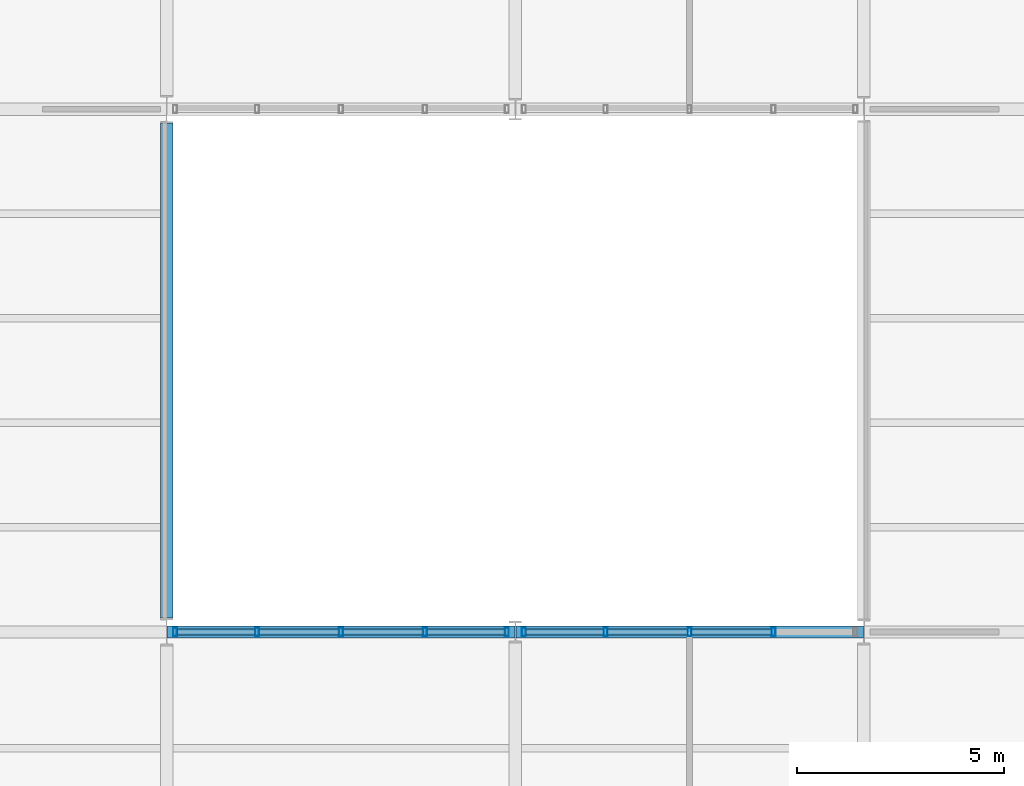
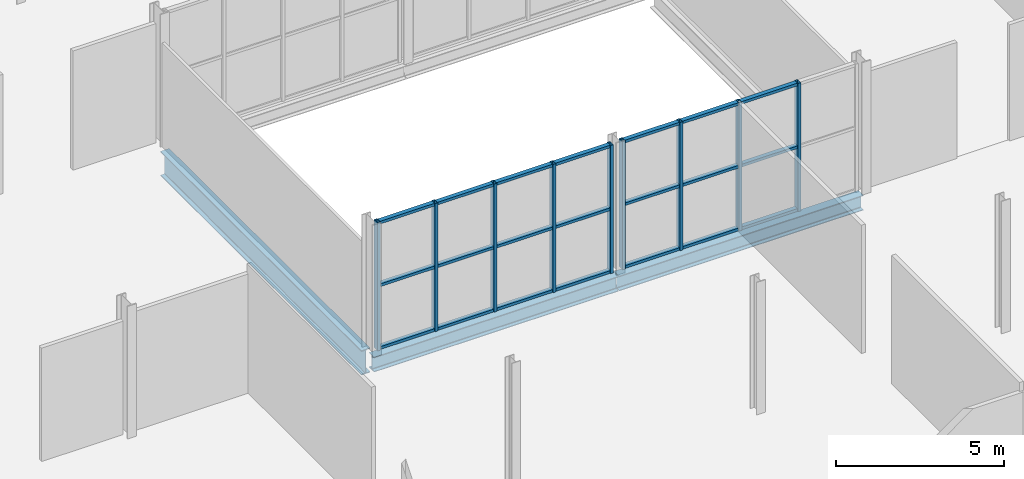
# One storey, part 10 of 52: 30 members, 3 beams, 2 elements without a shape of their own.
"""IFC4 building model written with IfcOpenShell, lengths in metres."""

from ifc_helpers import new_model, si_unit, direction, frame, origin, origin_2d, place, context, subcontext, project, spatial, hollow_rectangle, i_section, extrude, material, layer, layer_set, material_profile, profile_set, type_object, element, aggregate, save


model = new_model("IFC4")

# Units and contexts
model_context = context("Model", 3, precision=1e-05, world=origin(), true_north=direction((0.0, 1.0)))
body_context = subcontext(model_context, "Body", "Model", "MODEL_VIEW")
ifc_project = project(units=[si_unit("LENGTHUNIT", "METRE"), si_unit("AREAUNIT", "SQUARE_METRE"), si_unit("VOLUMEUNIT", "CUBIC_METRE"), si_unit("PLANEANGLEUNIT", "RADIAN"), si_unit("MASSUNIT", "GRAM", prefix="KILO")], contexts=[model_context])

# Site, building, storey
site_placement = place(None, origin())
site = spatial("IfcSite", under=ifc_project, at=site_placement, CompositionType="ELEMENT")
building_placement = place(site_placement, origin())
building = spatial("IfcBuilding", under=site, at=building_placement, Name="Galleria Vessillo Department Store", CompositionType="ELEMENT")
storey_placement = place(building_placement, frame((0.0, 0.0, 16.199951171875)))
storey = spatial("IfcBuildingStorey", under=building, at=storey_placement, Name="L03", CompositionType="ELEMENT", Elevation=16.199951171875)

# Curtain wall, members
ifc_material_1 = material(Name="Steel and fire-resisting glass curtain wall", Category="steel")
ifc_layer = layer(ifc_material_1, 0.199951171875)
ifc_layer_set = layer_set([ifc_layer], Name="Steel and fire-resisting glass curtain wall")
curtain_wall_type = type_object("IfcCurtainWallType", Name="Arcade fire-resisting glazed shopfront EI 120-Sa", PredefinedType="NOTDEFINED", material=ifc_layer_set)
curtain_wall_1_placement = place(storey_placement, origin())
curtain_wall_1 = element("IfcCurtainWall", 1, at=curtain_wall_1_placement, inside=storey, type_object=curtain_wall_type, Name="Arcade fire-resisting glazed shopfront EI 120-Sa AI-AW-S-L03-01", PredefinedType="NOTDEFINED")
ifc_material_2 = material(Name="Steel S355 J2", Category="steel")
ifc_material_profile_1 = material_profile(ifc_material_2, hollow_rectangle(XDim=0.199951171875, YDim=0.10009765625, WallThickness=0.008056640625, at=origin_2d()), Name="RHS 200x100x8")
ifc_profile_set_1 = profile_set([ifc_material_profile_1], Name="Steel S355 J2")
member_type_1 = type_object("IfcMemberType", Name="Steel mullion RHS 200x100x8", PredefinedType="MULLION", material=ifc_profile_set_1)
member_1_placement = place(storey_placement, frame((17.002685546875, 25.199951171875, 0.0), z_axis=(0.0, 0.0, 1.0), x_axis=(0.0, 1.0, 0.0)))
member_1 = element("IfcMember", 2, at=member_1_placement, type_object=member_type_1, Name="CW7 mullion 1", PredefinedType="MULLION", context=body_context, shape_type="SweptSolid", body=[
    extrude(hollow_rectangle(XDim=0.199951171875, YDim=0.10009765625, WallThickness=0.008056640625, at=origin_2d()), origin(), (0.0, 0.0, 1.0), 4.650146484375),
])
member_2_placement = place(storey_placement, frame((18.97607421875, 25.199951171875, 0.0), z_axis=(0.0, 0.0, 1.0), x_axis=(0.0, 1.0, 0.0)))
member_2 = element("IfcMember", 3, at=member_2_placement, type_object=member_type_1, Name="CW7 mullion 2", PredefinedType="MULLION", context=body_context, shape_type="SweptSolid", body=[
    extrude(hollow_rectangle(XDim=0.199951171875, YDim=0.10009765625, WallThickness=0.008056640625, at=origin_2d()), origin(), (0.0, 0.0, 1.0), 4.650146484375),
])
member_3_placement = place(storey_placement, frame((20.999755859375, 25.199951171875, 0.0), z_axis=(0.0, 0.0, 1.0), x_axis=(0.0, 1.0, 0.0)))
member_3 = element("IfcMember", 4, at=member_3_placement, type_object=member_type_1, Name="CW7 mullion 3", PredefinedType="MULLION", context=body_context, shape_type="SweptSolid", body=[
    extrude(hollow_rectangle(XDim=0.199951171875, YDim=0.10009765625, WallThickness=0.008056640625, at=origin_2d()), origin(), (0.0, 0.0, 1.0), 4.650146484375),
])
member_4_placement = place(storey_placement, frame((23.0234375, 25.199951171875, 0.0), z_axis=(0.0, 0.0, 1.0), x_axis=(0.0, 1.0, 0.0)))
member_4 = element("IfcMember", 5, at=member_4_placement, type_object=member_type_1, Name="CW7 mullion 4", PredefinedType="MULLION", context=body_context, shape_type="SweptSolid", body=[
    extrude(hollow_rectangle(XDim=0.199951171875, YDim=0.10009765625, WallThickness=0.008056640625, at=origin_2d()), origin(), (0.0, 0.0, 1.0), 4.650146484375),
])
member_5_placement = place(storey_placement, frame((24.996826171875, 25.199951171875, 0.0), z_axis=(0.0, 0.0, 1.0), x_axis=(0.0, 1.0, 0.0)))
member_5 = element("IfcMember", 6, at=member_5_placement, type_object=member_type_1, Name="CW7 mullion 5", PredefinedType="MULLION", context=body_context, shape_type="SweptSolid", body=[
    extrude(hollow_rectangle(XDim=0.199951171875, YDim=0.10009765625, WallThickness=0.008056640625, at=origin_2d()), origin(), (0.0, 0.0, 1.0), 4.650146484375),
])

curtain_wall_2_placement = place(storey_placement, origin())
curtain_wall_2 = element("IfcCurtainWall", 7, at=curtain_wall_2_placement, inside=storey, type_object=curtain_wall_type, Name="Arcade fire-resisting glazed shopfront EI 120-Sa AI-AW-S-L03-02", PredefinedType="NOTDEFINED")
member_6_placement = place(storey_placement, frame((25.403076171875, 25.199951171875, 0.0), z_axis=(0.0, 0.0, 1.0), x_axis=(0.0, 1.0, 0.0)))
member_6 = element("IfcMember", 8, at=member_6_placement, type_object=member_type_1, Name="CW7 mullion 1", PredefinedType="MULLION", context=body_context, shape_type="SweptSolid", body=[
    extrude(hollow_rectangle(XDim=0.199951171875, YDim=0.10009765625, WallThickness=0.008056640625, at=origin_2d()), origin(), (0.0, 0.0, 1.0), 4.650146484375),
])
member_7_placement = place(storey_placement, frame((27.376708984375, 25.199951171875, 0.0), z_axis=(0.0, 0.0, 1.0), x_axis=(0.0, 1.0, 0.0)))
member_7 = element("IfcMember", 9, at=member_7_placement, type_object=member_type_1, Name="CW7 mullion 2", PredefinedType="MULLION", context=body_context, shape_type="SweptSolid", body=[
    extrude(hollow_rectangle(XDim=0.199951171875, YDim=0.10009765625, WallThickness=0.008056640625, at=origin_2d()), origin(), (0.0, 0.0, 1.0), 4.650146484375),
])
member_8_placement = place(storey_placement, frame((29.400390625, 25.199951171875, 0.0), z_axis=(0.0, 0.0, 1.0), x_axis=(0.0, 1.0, 0.0)))
member_8 = element("IfcMember", 10, at=member_8_placement, type_object=member_type_1, Name="CW7 mullion 3", PredefinedType="MULLION", context=body_context, shape_type="SweptSolid", body=[
    extrude(hollow_rectangle(XDim=0.199951171875, YDim=0.10009765625, WallThickness=0.008056640625, at=origin_2d()), origin(), (0.0, 0.0, 1.0), 4.650146484375),
])
member_9_placement = place(storey_placement, frame((31.423828125, 25.199951171875, 0.0), z_axis=(0.0, 0.0, 1.0), x_axis=(0.0, 1.0, 0.0)))
member_9 = element("IfcMember", 11, at=member_9_placement, type_object=member_type_1, Name="CW7 mullion 4", PredefinedType="MULLION", context=body_context, shape_type="SweptSolid", body=[
    extrude(hollow_rectangle(XDim=0.199951171875, YDim=0.10009765625, WallThickness=0.008056640625, at=origin_2d()), origin(), (0.0, 0.0, 1.0), 4.650146484375),
])

# Member
ifc_material_3 = material(Name="Steel S355 J2", Category="steel")
ifc_material_profile_2 = material_profile(ifc_material_3, hollow_rectangle(XDim=0.14990234375, YDim=0.10009765625, WallThickness=0.008056640625, at=origin_2d()), Name="RHS 150x100x8")
ifc_profile_set_2 = profile_set([ifc_material_profile_2], Name="Steel S355 J2")
member_type_2 = type_object("IfcMemberType", Name="Steel transom RHS 150x100x8", PredefinedType="USERDEFINED", material=ifc_profile_set_2)
member_10_placement = place(storey_placement, frame((17.052734375, 25.199951171875, 0.050048828125), z_axis=(1.0, 0.0, 0.0), x_axis=(0.0, 1.0, 0.0)))
member_10 = element("IfcMember", 12, at=member_10_placement, type_object=member_type_2, Name="CW7 transom 1.1", ObjectType="TRANSOM", PredefinedType="USERDEFINED", context=body_context, shape_type="SweptSolid", body=[
    extrude(hollow_rectangle(XDim=0.14990234375, YDim=0.10009765625, WallThickness=0.008056640625, at=origin_2d()), origin(), (0.0, 0.0, 1.0), 1.87353515625),
])

member_11_placement = place(storey_placement, frame((17.052734375, 25.199951171875, 2.324951171875), z_axis=(1.0, 0.0, 0.0), x_axis=(0.0, 1.0, 0.0)))
member_11 = element("IfcMember", 13, at=member_11_placement, type_object=member_type_2, Name="CW7 transom 1.2", ObjectType="TRANSOM", PredefinedType="USERDEFINED", context=body_context, shape_type="SweptSolid", body=[
    extrude(hollow_rectangle(XDim=0.14990234375, YDim=0.10009765625, WallThickness=0.008056640625, at=origin_2d()), origin(), (0.0, 0.0, 1.0), 1.87353515625),
])

member_12_placement = place(storey_placement, frame((17.052734375, 25.199951171875, 4.60009765625), z_axis=(1.0, 0.0, 0.0), x_axis=(0.0, 1.0, 0.0)))
member_12 = element("IfcMember", 14, at=member_12_placement, type_object=member_type_2, Name="CW7 transom 1.3", ObjectType="TRANSOM", PredefinedType="USERDEFINED", context=body_context, shape_type="SweptSolid", body=[
    extrude(hollow_rectangle(XDim=0.14990234375, YDim=0.10009765625, WallThickness=0.008056640625, at=origin_2d()), origin(), (0.0, 0.0, 1.0), 1.87353515625),
])

member_13_placement = place(storey_placement, frame((19.026123046875, 25.199951171875, 0.050048828125), z_axis=(1.0, 0.0, 0.0), x_axis=(0.0, 1.0, 0.0)))
member_13 = element("IfcMember", 15, at=member_13_placement, type_object=member_type_2, Name="CW7 transom 2.1", ObjectType="TRANSOM", PredefinedType="USERDEFINED", context=body_context, shape_type="SweptSolid", body=[
    extrude(hollow_rectangle(XDim=0.14990234375, YDim=0.10009765625, WallThickness=0.008056640625, at=origin_2d()), origin(), (0.0, 0.0, 1.0), 1.923583984375),
])

member_14_placement = place(storey_placement, frame((19.026123046875, 25.199951171875, 2.324951171875), z_axis=(1.0, 0.0, 0.0), x_axis=(0.0, 1.0, 0.0)))
member_14 = element("IfcMember", 16, at=member_14_placement, type_object=member_type_2, Name="CW7 transom 2.2", ObjectType="TRANSOM", PredefinedType="USERDEFINED", context=body_context, shape_type="SweptSolid", body=[
    extrude(hollow_rectangle(XDim=0.14990234375, YDim=0.10009765625, WallThickness=0.008056640625, at=origin_2d()), origin(), (0.0, 0.0, 1.0), 1.923583984375),
])

member_15_placement = place(storey_placement, frame((19.026123046875, 25.199951171875, 4.60009765625), z_axis=(1.0, 0.0, 0.0), x_axis=(0.0, 1.0, 0.0)))
member_15 = element("IfcMember", 17, at=member_15_placement, type_object=member_type_2, Name="CW7 transom 2.3", ObjectType="TRANSOM", PredefinedType="USERDEFINED", context=body_context, shape_type="SweptSolid", body=[
    extrude(hollow_rectangle(XDim=0.14990234375, YDim=0.10009765625, WallThickness=0.008056640625, at=origin_2d()), origin(), (0.0, 0.0, 1.0), 1.923583984375),
])

member_16_placement = place(storey_placement, frame((21.0498046875, 25.199951171875, 0.050048828125), z_axis=(1.0, 0.0, 0.0), x_axis=(0.0, 1.0, 0.0)))
member_16 = element("IfcMember", 18, at=member_16_placement, type_object=member_type_2, Name="CW7 transom 3.1", ObjectType="TRANSOM", PredefinedType="USERDEFINED", context=body_context, shape_type="SweptSolid", body=[
    extrude(hollow_rectangle(XDim=0.14990234375, YDim=0.10009765625, WallThickness=0.008056640625, at=origin_2d()), origin(), (0.0, 0.0, 1.0), 1.923583984375),
])

member_17_placement = place(storey_placement, frame((21.0498046875, 25.199951171875, 2.324951171875), z_axis=(1.0, 0.0, 0.0), x_axis=(0.0, 1.0, 0.0)))
member_17 = element("IfcMember", 19, at=member_17_placement, type_object=member_type_2, Name="CW7 transom 3.2", ObjectType="TRANSOM", PredefinedType="USERDEFINED", context=body_context, shape_type="SweptSolid", body=[
    extrude(hollow_rectangle(XDim=0.14990234375, YDim=0.10009765625, WallThickness=0.008056640625, at=origin_2d()), origin(), (0.0, 0.0, 1.0), 1.923583984375),
])

member_18_placement = place(storey_placement, frame((21.0498046875, 25.199951171875, 4.60009765625), z_axis=(1.0, 0.0, 0.0), x_axis=(0.0, 1.0, 0.0)))
member_18 = element("IfcMember", 20, at=member_18_placement, type_object=member_type_2, Name="CW7 transom 3.3", ObjectType="TRANSOM", PredefinedType="USERDEFINED", context=body_context, shape_type="SweptSolid", body=[
    extrude(hollow_rectangle(XDim=0.14990234375, YDim=0.10009765625, WallThickness=0.008056640625, at=origin_2d()), origin(), (0.0, 0.0, 1.0), 1.923583984375),
])

member_19_placement = place(storey_placement, frame((23.0732421875, 25.199951171875, 0.050048828125), z_axis=(1.0, 0.0, 0.0), x_axis=(0.0, 1.0, 0.0)))
member_19 = element("IfcMember", 21, at=member_19_placement, type_object=member_type_2, Name="CW7 transom 4.1", ObjectType="TRANSOM", PredefinedType="USERDEFINED", context=body_context, shape_type="SweptSolid", body=[
    extrude(hollow_rectangle(XDim=0.14990234375, YDim=0.10009765625, WallThickness=0.008056640625, at=origin_2d()), origin(), (0.0, 0.0, 1.0), 1.87353515625),
])

member_20_placement = place(storey_placement, frame((23.0732421875, 25.199951171875, 2.324951171875), z_axis=(1.0, 0.0, 0.0), x_axis=(0.0, 1.0, 0.0)))
member_20 = element("IfcMember", 22, at=member_20_placement, type_object=member_type_2, Name="CW7 transom 4.2", ObjectType="TRANSOM", PredefinedType="USERDEFINED", context=body_context, shape_type="SweptSolid", body=[
    extrude(hollow_rectangle(XDim=0.14990234375, YDim=0.10009765625, WallThickness=0.008056640625, at=origin_2d()), origin(), (0.0, 0.0, 1.0), 1.87353515625),
])

member_21_placement = place(storey_placement, frame((23.0732421875, 25.199951171875, 4.60009765625), z_axis=(1.0, 0.0, 0.0), x_axis=(0.0, 1.0, 0.0)))
member_21 = element("IfcMember", 23, at=member_21_placement, type_object=member_type_2, Name="CW7 transom 4.3", ObjectType="TRANSOM", PredefinedType="USERDEFINED", context=body_context, shape_type="SweptSolid", body=[
    extrude(hollow_rectangle(XDim=0.14990234375, YDim=0.10009765625, WallThickness=0.008056640625, at=origin_2d()), origin(), (0.0, 0.0, 1.0), 1.87353515625),
])

aggregate(curtain_wall_1, [member_1, member_2, member_3, member_4, member_5, member_10, member_11, member_12, member_13, member_14, member_15, member_16, member_17, member_18, member_19, member_20, member_21])

member_22_placement = place(storey_placement, frame((25.453125, 25.199951171875, 0.050048828125), z_axis=(1.0, 0.0, 0.0), x_axis=(0.0, 1.0, 0.0)))
member_22 = element("IfcMember", 24, at=member_22_placement, type_object=member_type_2, Name="CW7 transom 1.1", ObjectType="TRANSOM", PredefinedType="USERDEFINED", context=body_context, shape_type="SweptSolid", body=[
    extrude(hollow_rectangle(XDim=0.14990234375, YDim=0.10009765625, WallThickness=0.008056640625, at=origin_2d()), origin(), (0.0, 0.0, 1.0), 1.87353515625),
])

member_23_placement = place(storey_placement, frame((25.453125, 25.199951171875, 2.324951171875), z_axis=(1.0, 0.0, 0.0), x_axis=(0.0, 1.0, 0.0)))
member_23 = element("IfcMember", 25, at=member_23_placement, type_object=member_type_2, Name="CW7 transom 1.2", ObjectType="TRANSOM", PredefinedType="USERDEFINED", context=body_context, shape_type="SweptSolid", body=[
    extrude(hollow_rectangle(XDim=0.14990234375, YDim=0.10009765625, WallThickness=0.008056640625, at=origin_2d()), origin(), (0.0, 0.0, 1.0), 1.87353515625),
])

member_24_placement = place(storey_placement, frame((25.453125, 25.199951171875, 4.60009765625), z_axis=(1.0, 0.0, 0.0), x_axis=(0.0, 1.0, 0.0)))
member_24 = element("IfcMember", 26, at=member_24_placement, type_object=member_type_2, Name="CW7 transom 1.3", ObjectType="TRANSOM", PredefinedType="USERDEFINED", context=body_context, shape_type="SweptSolid", body=[
    extrude(hollow_rectangle(XDim=0.14990234375, YDim=0.10009765625, WallThickness=0.008056640625, at=origin_2d()), origin(), (0.0, 0.0, 1.0), 1.87353515625),
])

member_25_placement = place(storey_placement, frame((27.4267578125, 25.199951171875, 0.050048828125), z_axis=(1.0, 0.0, 0.0), x_axis=(0.0, 1.0, 0.0)))
member_25 = element("IfcMember", 27, at=member_25_placement, type_object=member_type_2, Name="CW7 transom 2.1", ObjectType="TRANSOM", PredefinedType="USERDEFINED", context=body_context, shape_type="SweptSolid", body=[
    extrude(hollow_rectangle(XDim=0.14990234375, YDim=0.10009765625, WallThickness=0.008056640625, at=origin_2d()), origin(), (0.0, 0.0, 1.0), 1.923583984375),
])

member_26_placement = place(storey_placement, frame((27.4267578125, 25.199951171875, 2.324951171875), z_axis=(1.0, 0.0, 0.0), x_axis=(0.0, 1.0, 0.0)))
member_26 = element("IfcMember", 28, at=member_26_placement, type_object=member_type_2, Name="CW7 transom 2.2", ObjectType="TRANSOM", PredefinedType="USERDEFINED", context=body_context, shape_type="SweptSolid", body=[
    extrude(hollow_rectangle(XDim=0.14990234375, YDim=0.10009765625, WallThickness=0.008056640625, at=origin_2d()), origin(), (0.0, 0.0, 1.0), 1.923583984375),
])

member_27_placement = place(storey_placement, frame((27.4267578125, 25.199951171875, 4.60009765625), z_axis=(1.0, 0.0, 0.0), x_axis=(0.0, 1.0, 0.0)))
member_27 = element("IfcMember", 29, at=member_27_placement, type_object=member_type_2, Name="CW7 transom 2.3", ObjectType="TRANSOM", PredefinedType="USERDEFINED", context=body_context, shape_type="SweptSolid", body=[
    extrude(hollow_rectangle(XDim=0.14990234375, YDim=0.10009765625, WallThickness=0.008056640625, at=origin_2d()), origin(), (0.0, 0.0, 1.0), 1.923583984375),
])

member_28_placement = place(storey_placement, frame((29.4501953125, 25.199951171875, 0.050048828125), z_axis=(1.0, 0.0, 0.0), x_axis=(0.0, 1.0, 0.0)))
member_28 = element("IfcMember", 30, at=member_28_placement, type_object=member_type_2, Name="CW7 transom 3.1", ObjectType="TRANSOM", PredefinedType="USERDEFINED", context=body_context, shape_type="SweptSolid", body=[
    extrude(hollow_rectangle(XDim=0.14990234375, YDim=0.10009765625, WallThickness=0.008056640625, at=origin_2d()), origin(), (0.0, 0.0, 1.0), 1.923583984375),
])

member_29_placement = place(storey_placement, frame((29.4501953125, 25.199951171875, 2.324951171875), z_axis=(1.0, 0.0, 0.0), x_axis=(0.0, 1.0, 0.0)))
member_29 = element("IfcMember", 31, at=member_29_placement, type_object=member_type_2, Name="CW7 transom 3.2", ObjectType="TRANSOM", PredefinedType="USERDEFINED", context=body_context, shape_type="SweptSolid", body=[
    extrude(hollow_rectangle(XDim=0.14990234375, YDim=0.10009765625, WallThickness=0.008056640625, at=origin_2d()), origin(), (0.0, 0.0, 1.0), 1.923583984375),
])

member_30_placement = place(storey_placement, frame((29.4501953125, 25.199951171875, 4.60009765625), z_axis=(1.0, 0.0, 0.0), x_axis=(0.0, 1.0, 0.0)))
member_30 = element("IfcMember", 32, at=member_30_placement, type_object=member_type_2, Name="CW7 transom 3.3", ObjectType="TRANSOM", PredefinedType="USERDEFINED", context=body_context, shape_type="SweptSolid", body=[
    extrude(hollow_rectangle(XDim=0.14990234375, YDim=0.10009765625, WallThickness=0.008056640625, at=origin_2d()), origin(), (0.0, 0.0, 1.0), 1.923583984375),
])

aggregate(curtain_wall_2, [member_6, member_7, member_8, member_9, member_22, member_23, member_24, member_25, member_26, member_27, member_28, member_29, member_30])

# Beams
ifc_material_4 = material(Name="Steel S355 J2", Category="steel")
ifc_material_profile_3 = material_profile(ifc_material_4, i_section(OverallWidth=0.300048828125, OverallDepth=0.5400390625, WebThickness=0.012451171875, FlangeThickness=0.02392578125, FilletRadius=0.027099609375, at=origin_2d()), Name="HEA 550")
ifc_profile_set_3 = profile_set([ifc_material_profile_3], Name="Steel S355 J2")
beam_type_1 = type_object("IfcBeamType", Name="Trimmer beam HEA 550", PredefinedType="BEAM", material=ifc_profile_set_3)
beam_1_placement = place(storey_placement, frame((16.810546875, 25.199951171875, -0.419921875), z_axis=(1.0, 0.0, 0.0), x_axis=(0.0, 1.0, 0.0)))
element("IfcBeam", 33, at=beam_1_placement, inside=storey, type_object=beam_type_1, Name="S-BM-L03-TR-x25200-16811", PredefinedType="BEAM", context=body_context, shape_type="SweptSolid", body=[
    extrude(i_section(OverallWidth=0.300048828125, OverallDepth=0.5400390625, WebThickness=0.012451171875, FlangeThickness=0.02392578125, FilletRadius=0.027099609375, at=origin_2d()), origin(), (0.0, 0.0, 1.0), 8.37890625),
])
beam_2_placement = place(storey_placement, frame((25.210693359375, 25.199951171875, -0.419921875), z_axis=(1.0, 0.0, 0.0), x_axis=(0.0, 1.0, 0.0)))
element("IfcBeam", 34, at=beam_2_placement, inside=storey, type_object=beam_type_1, Name="S-BM-L03-TR-x25200-25211", PredefinedType="BEAM", context=body_context, shape_type="SweptSolid", body=[
    extrude(i_section(OverallWidth=0.300048828125, OverallDepth=0.5400390625, WebThickness=0.012451171875, FlangeThickness=0.02392578125, FilletRadius=0.027099609375, at=origin_2d()), origin(), (0.0, 0.0, 1.0), 8.378662109375),
])
ifc_material_5 = material(Name="Steel S355 J2", Category="steel")
ifc_material_profile_4 = material_profile(ifc_material_5, i_section(OverallWidth=0.300048828125, OverallDepth=0.889892578125, WebThickness=0.01611328125, FlangeThickness=0.030029296875, FilletRadius=0.030029296875, at=origin_2d()), Name="HEA 900")
ifc_profile_set_4 = profile_set([ifc_material_profile_4], Name="Steel S355 J2")
beam_type_2 = type_object("IfcBeamType", Name="Trimmer beam HEA 900", PredefinedType="BEAM", material=ifc_profile_set_4)
beam_3_placement = place(storey_placement, frame((16.800048828125, 25.5341796875, -0.594970703125), z_axis=(0.0, 1.0, 0.0), x_axis=(-1.0, 0.0, 0.0)))
element("IfcBeam", 35, at=beam_3_placement, inside=storey, type_object=beam_type_2, Name="S-BM-L03-TR-y16800-25534", PredefinedType="BEAM", context=body_context, shape_type="SweptSolid", body=[
    extrude(i_section(OverallWidth=0.300048828125, OverallDepth=0.889892578125, WebThickness=0.01611328125, FlangeThickness=0.030029296875, FilletRadius=0.030029296875, at=origin_2d()), origin(), (0.0, 0.0, 1.0), 11.931640625),
])

save(model, "model.ifc")
